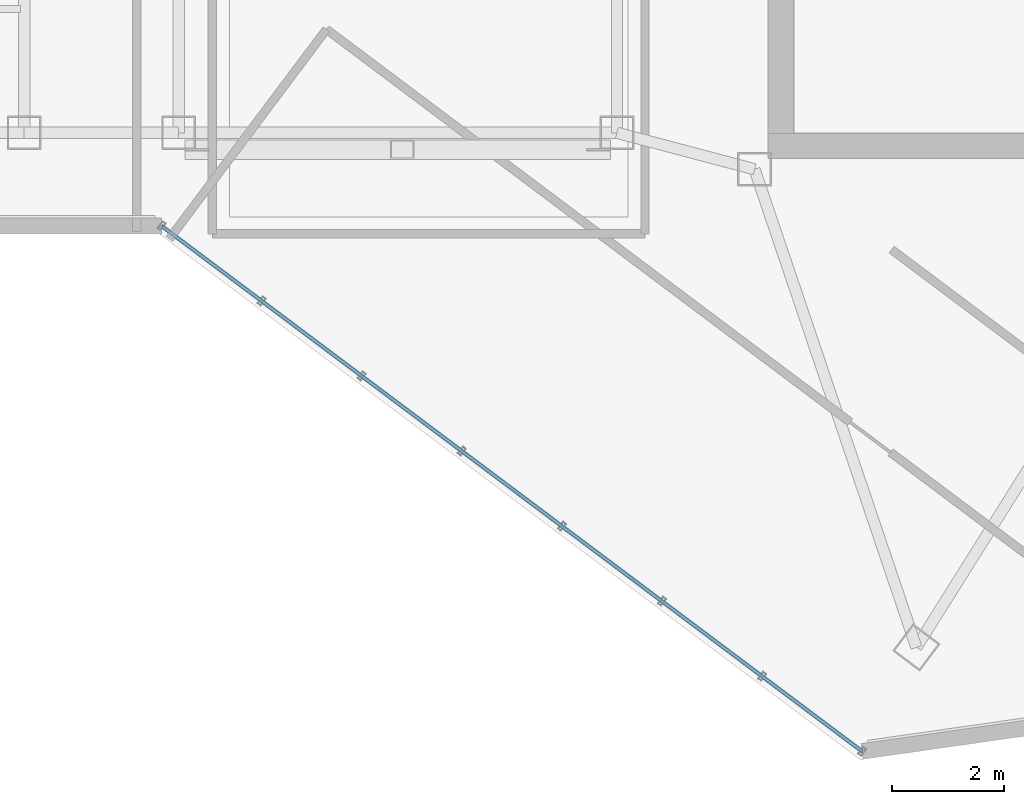
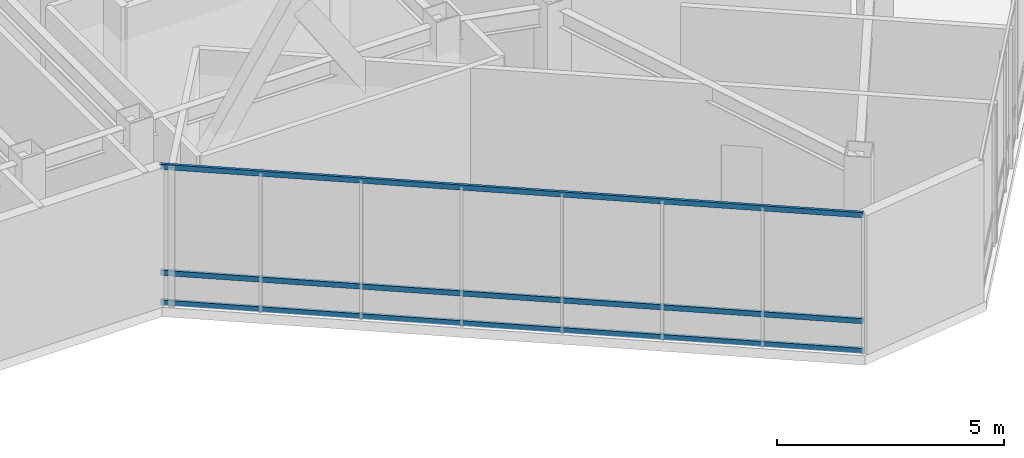
# One storey, part 3 of 21: 3 members, 1 element without a shape of its own.
"""IFC4 building model written with IfcOpenShell, lengths in metres."""

from ifc_helpers import new_model, si_unit, direction, frame, origin, origin_2d, place, context, subcontext, project, spatial, hollow_rectangle, extrude, material, layer, layer_set, material_profile, profile_set, type_object, element, aggregate, save


model = new_model("IFC4")

# Units and contexts
model_context = context("Model", 3, precision=1e-05, world=origin(), true_north=direction((0.0, 1.0)))
body_context = subcontext(model_context, "Body", "Model", "MODEL_VIEW")
ifc_project = project(units=[si_unit("LENGTHUNIT", "METRE"), si_unit("AREAUNIT", "SQUARE_METRE"), si_unit("VOLUMEUNIT", "CUBIC_METRE"), si_unit("PLANEANGLEUNIT", "RADIAN"), si_unit("MASSUNIT", "GRAM", prefix="KILO")], contexts=[model_context])

# Site, building, storey
site_placement = place(None, origin())
site = spatial("IfcSite", under=ifc_project, at=site_placement, CompositionType="ELEMENT")
building_placement = place(site_placement, origin())
building = spatial("IfcBuilding", under=site, at=building_placement, Name="Hatsunagi Terrace Concourse", CompositionType="ELEMENT")
storey_placement = place(building_placement, frame((0.0, 0.0, 265.949951171875)))
storey = spatial("IfcBuildingStorey", under=building, at=storey_placement, Name="L70", CompositionType="ELEMENT", Elevation=265.949951171875)

# Curtain wall, members
ifc_material_1 = material(Name="Anodised Aluminium Alloy 6063-T5", Category="aluminium")
ifc_layer = layer(ifc_material_1, 0.199951171875)
ifc_layer_set = layer_set([ifc_layer], Name="CrownWintergarden_CW06")
curtain_wall_type = type_object("IfcCurtainWallType", Name="CrownWintergarden_CW06", PredefinedType="NOTDEFINED", material=ifc_layer_set)
curtain_wall_placement = place(storey_placement, origin())
curtain_wall = element("IfcCurtainWall", 1, at=curtain_wall_placement, inside=storey, type_object=curtain_wall_type, Name="Unitised Curtain Wall CW-06 CW-L70-05", PredefinedType="NOTDEFINED")
ifc_material_2 = material(Name="Anodised Aluminium Alloy 6063-T5", Category="aluminium")
ifc_material_profile = material_profile(ifc_material_2, hollow_rectangle(XDim=0.06494140625, YDim=0.139892578125, WallThickness=0.00390625, at=origin_2d()), Name="ALU-TRN-140x65x4")
ifc_profile_set = profile_set([ifc_material_profile], Name="Anodised Aluminium Alloy 6063-T5")
member_type = type_object("IfcMemberType", Name="CurtainWallTransom_140x65", PredefinedType="USERDEFINED", material=ifc_profile_set)
member_1_placement = place(storey_placement, frame((37.718017578125, 14.18701171875, 0.050048828125), z_axis=(-0.800005638109, 0.599992482448, 0.0), x_axis=(-0.599992482448, -0.800005638109, 0.0)))
member_1 = element("IfcMember", 2, at=member_1_placement, type_object=member_type, Name="Curtain Wall Transom TRN-02", ObjectType="TRANSOM", PredefinedType="USERDEFINED", context=body_context, shape_type="SweptSolid", body=[
    extrude(hollow_rectangle(XDim=0.06494140625, YDim=0.139892578125, WallThickness=0.00390625, at=origin_2d()), origin(), (0.0, 0.0, 1.0), 15.588623046875),
])
member_2_placement = place(storey_placement, frame((37.718017578125, 14.18701171875, 0.85009765625), z_axis=(-0.800005638109, 0.599992482448, 0.0), x_axis=(-0.599992482448, -0.800005638109, 0.0)))
member_2 = element("IfcMember", 3, at=member_2_placement, type_object=member_type, Name="Curtain Wall Transom TRN-02", ObjectType="TRANSOM", PredefinedType="USERDEFINED", context=body_context, shape_type="SweptSolid", body=[
    extrude(hollow_rectangle(XDim=0.06494140625, YDim=0.139892578125, WallThickness=0.00390625, at=origin_2d()), origin(), (0.0, 0.0, 1.0), 15.588623046875),
])
member_3_placement = place(storey_placement, frame((37.718017578125, 14.18701171875, 3.699951171875), z_axis=(-0.800005638109, 0.599992482448, 0.0), x_axis=(-0.599992482448, -0.800005638109, 0.0)))
member_3 = element("IfcMember", 4, at=member_3_placement, type_object=member_type, Name="Curtain Wall Transom TRN-02", ObjectType="TRANSOM", PredefinedType="USERDEFINED", context=body_context, shape_type="SweptSolid", body=[
    extrude(hollow_rectangle(XDim=0.06494140625, YDim=0.139892578125, WallThickness=0.00390625, at=origin_2d()), origin(), (0.0, 0.0, 1.0), 15.588623046875),
])
aggregate(curtain_wall, [member_1, member_2, member_3])

save(model, "model.ifc")
